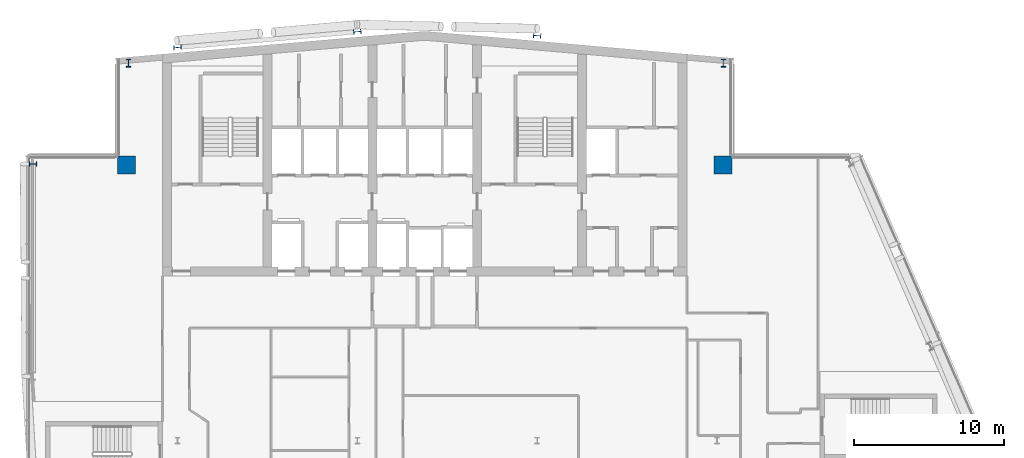
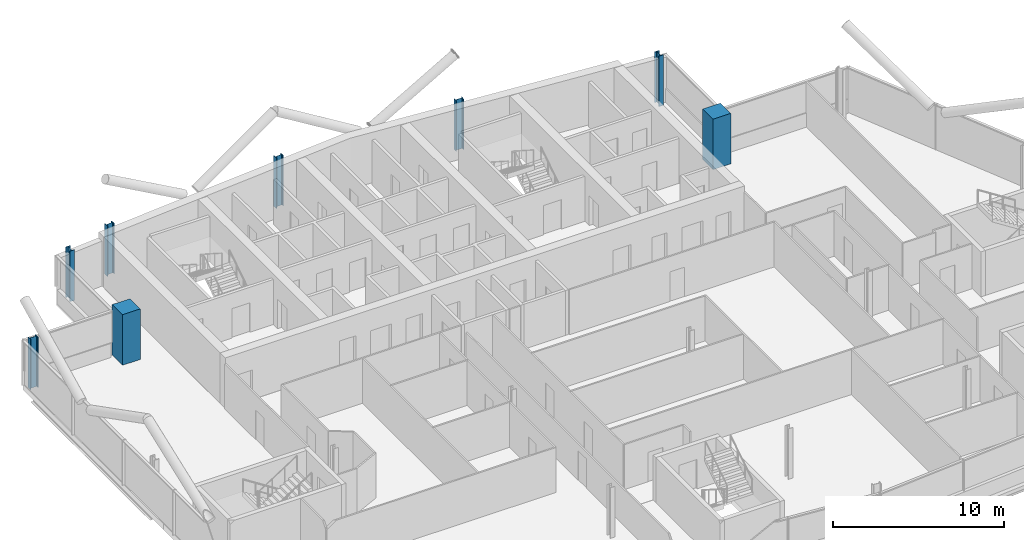
# One storey, part 3 of 27: 8 columns.
"""IFC4 building model written with IfcOpenShell, lengths in metres."""

from ifc_helpers import new_model, si_unit, direction, frame, origin, origin_2d, place, context, subcontext, project, spatial, rectangle, i_section, extrude, material, material_profile, profile_set, type_object, element, save


model = new_model("IFC4")

# Units and contexts
model_context = context("Model", 3, precision=1e-05, world=origin(), true_north=direction((0.0, 1.0)))
body_context = subcontext(model_context, "Body", "Model", "MODEL_VIEW")
ifc_project = project(units=[si_unit("LENGTHUNIT", "METRE"), si_unit("AREAUNIT", "SQUARE_METRE"), si_unit("VOLUMEUNIT", "CUBIC_METRE"), si_unit("PLANEANGLEUNIT", "RADIAN"), si_unit("MASSUNIT", "GRAM", prefix="KILO")], contexts=[model_context])

# Site, building, storey
site_placement = place(None, origin())
site = spatial("IfcSite", under=ifc_project, at=site_placement, CompositionType="ELEMENT")
building_placement = place(site_placement, origin())
building = spatial("IfcBuilding", under=site, at=building_placement, Name="Wharfspan Tower", CompositionType="ELEMENT")
storey_placement = place(building_placement, frame((0.0, 0.0, 228.699951)))
storey = spatial("IfcBuildingStorey", under=building, at=storey_placement, Name="L57", CompositionType="ELEMENT", Elevation=228.699951)

# Columns
ifc_material_1 = material(Name="Steel S355J2", Category="steel")
ifc_material_profile_1 = material_profile(ifc_material_1, i_section(OverallWidth=0.300049, OverallDepth=0.5, WebThickness=0.014404, FlangeThickness=0.028076, FilletRadius=0.0271, at=origin_2d()))
ifc_profile_set_1 = profile_set([ifc_material_profile_1], Name="Steel S355J2")
column_type_1 = type_object("IfcColumnType", Name="Column HEB 500", PredefinedType="COLUMN", material=ifc_profile_set_1)
for number, where, z_axis, x_axis, name in (
    (1, (24.0, 49.234863, 0.0), (0.0, 0.0, 1.0), (-0.087156, 0.996197, 0.0), "Rear column R.1 L57"),
    (2, (36.0, 50.284668, 0.0), (0.0, 0.0, 1.0), (-0.087156, 0.996197, 0.0), "Rear column R.2 L57"),
    (3, (48.0, 50.022217, 0.0), (0.0, 0.0, 1.0), (0.087156, 0.996197, 0.0), "Rear column R.3 L57"),
):
    element("IfcColumn", number, at=place(storey_placement, frame(where, z_axis=z_axis, x_axis=x_axis)), inside=storey, type_object=column_type_1, Name=name, PredefinedType="COLUMN", context=body_context, shape_type="SweptSolid", body=[
        extrude(i_section(OverallWidth=0.300049, OverallDepth=0.5, WebThickness=0.014404, FlangeThickness=0.028076, FilletRadius=0.0271, at=origin_2d()), origin(), (0.0, 0.0, 1.0), 3.600098),
    ])
ifc_material_profile_2 = material_profile(ifc_material_1, i_section(OverallWidth=0.305908, OverallDepth=0.523926, WebThickness=0.020996, FlangeThickness=0.040039, FilletRadius=0.0271, at=origin_2d()))
ifc_profile_set_2 = profile_set([ifc_material_profile_2], Name="Steel S355J2")
column_type_2 = type_object("IfcColumnType", Name="Column HEM 500", PredefinedType="COLUMN", material=ifc_profile_set_2)
for number, where, z_axis, x_axis, name in (
    (4, (60.422119, 48.189453, 0.0), (0.0, 0.0, 1.0), (1.0, 0.0, 0.0), "Perimeter column PNRE-V.1 L57"),
    (5, (20.731201, 48.189941, 0.0), (0.0, 0.0, 1.0), (-1.0, 0.0, 0.0), "Perimeter column PNRW-V.1 L57"),
    (6, (14.356934, 41.459717, 0.0), (0.0, 0.0, 1.0), (0.0, 1.0, 0.0), "Perimeter column PNRW-H.1 L57"),
):
    element("IfcColumn", number, at=place(storey_placement, frame(where, z_axis=z_axis, x_axis=x_axis)), inside=storey, type_object=column_type_2, Name=name, PredefinedType="COLUMN", context=body_context, shape_type="SweptSolid", body=[
        extrude(i_section(OverallWidth=0.305908, OverallDepth=0.523926, WebThickness=0.020996, FlangeThickness=0.040039, FilletRadius=0.0271, at=origin_2d()), origin(), (0.0, 0.0, 1.0), 3.600098),
    ])
ifc_material_2 = material(Name="Concrete C50/60", Category="concrete")
ifc_material_profile_3 = material_profile(ifc_material_2, rectangle(XDim=1.199951, YDim=1.199951, at=origin_2d()))
ifc_profile_set_3 = profile_set([ifc_material_profile_3], Name="Concrete C50/60")
column_type_3 = type_object("IfcColumnType", Name="Mega column 1200 C50/60", PredefinedType="COLUMN", material=ifc_profile_set_3)
for number, where, z_axis, x_axis, name in (
    (7, (20.600098, 41.399902, 0.0), (0.0, 0.0, 1.0), (1.0, 0.0, 0.0), "Mega column MC2 L57"),
    (8, (60.399902, 41.399902, 0.0), (0.0, 0.0, 1.0), (1.0, 0.0, 0.0), "Mega column MC3 L57"),
):
    element("IfcColumn", number, at=place(storey_placement, frame(where, z_axis=z_axis, x_axis=x_axis)), inside=storey, type_object=column_type_3, Name=name, PredefinedType="COLUMN", context=body_context, shape_type="SweptSolid", body=[
        extrude(rectangle(XDim=1.199951, YDim=1.199951, at=origin_2d()), origin(), (0.0, 0.0, 1.0), 3.600098),
    ])

save(model, "model.ifc")
